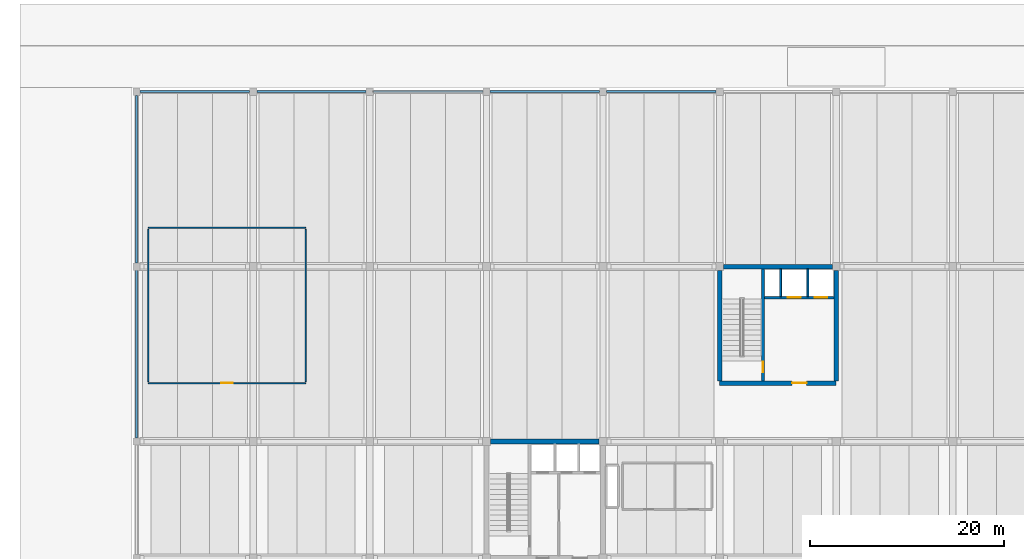
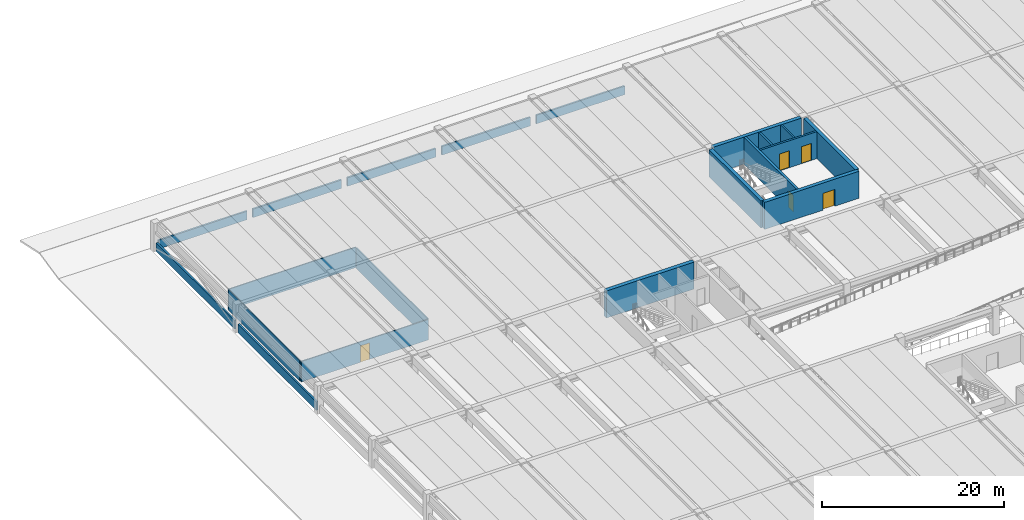
# One storey, part 9 of 16: 20 walls, 5 doors, 5 openings.
"""IFC4 building model written with IfcOpenShell, lengths in metres."""

from ifc_helpers import new_model, si_unit, direction, frame, frame_2d, origin, place, context, subcontext, project, spatial, rectangle, extrude, material, layer, layer_set, type_object, element, fill, save


model = new_model("IFC4")

# Units and contexts
model_context = context("Model", 3, precision=1e-05, world=origin(), true_north=direction((0.0, 1.0)))
body_context = subcontext(model_context, "Body", "Model", "MODEL_VIEW")
ifc_project = project(units=[si_unit("LENGTHUNIT", "METRE"), si_unit("AREAUNIT", "SQUARE_METRE"), si_unit("VOLUMEUNIT", "CUBIC_METRE"), si_unit("PLANEANGLEUNIT", "RADIAN"), si_unit("MASSUNIT", "GRAM", prefix="KILO")], contexts=[model_context])

# Site, building, storey
site_placement = place(None, origin())
site = spatial("IfcSite", under=ifc_project, at=site_placement, CompositionType="ELEMENT")
building_placement = place(site_placement, origin())
building = spatial("IfcBuilding", under=site, at=building_placement, Name="Girod Span Mobility Hub", CompositionType="ELEMENT")
storey_placement = place(building_placement, frame((0.0, 0.0, 21.0)))
storey = spatial("IfcBuildingStorey", under=building, at=storey_placement, Name="L05", CompositionType="ELEMENT", Elevation=21.0)

# Wall, opening, door
ifc_material_1 = material(Name="Concrete C40/50", Category="concrete")
ifc_layer_1 = layer(ifc_material_1, 0.449951171875)
ifc_layer_set_1 = layer_set([ifc_layer_1], Name="Concrete C40/50")
wall_type_1 = type_object("IfcWallType", Name="W-CW-450", PredefinedType="SHEAR", material=ifc_layer_set_1)
wall_1_placement = place(storey_placement, frame((72.0, 75.0, 0.0), z_axis=(0.0, 0.0, 1.0), x_axis=(1.0, 0.0, 0.0)))
wall_1 = element("IfcWall", 1, at=wall_1_placement, inside=storey, type_object=wall_type_1, Name="Core C4 Shear Wall S L05", PredefinedType="SHEAR", context=body_context, shape_type="SweptSolid", body=[
    extrude(rectangle(XDim=12.0, YDim=0.449951171875, at=frame_2d((6.0, 0.0))), origin(), (0.0, 0.0, 1.0), 3.637939453125),
])
opening_1_placement = place(wall_1_placement, frame((7.449951171875, 0.0, 0.0)))
opening_1 = element("IfcOpeningElement", 2, at=opening_1_placement, cuts=wall_1, Name="Opening D-LB-C4-L05", PredefinedType="OPENING", context=body_context, shape_type="SweptSolid", body=[
    extrude(rectangle(XDim=1.5, YDim=2.25, at=frame_2d((0.75, 1.125))), frame((0.0, 0.239990234375, 0.0), z_axis=(0.0, -1.0, 0.0), x_axis=(1.0, 0.0, 0.0)), (0.0, 0.0, 1.0), 0.47998046875),
])
ifc_material_2 = material(Name="Fire-Rated Insulated Hollow Metal Steel", Category="steel")
door_type_1 = type_object("IfcDoorType", Name="DT-FD-03", OperationType="DOUBLE_DOOR_SINGLE_SWING", PredefinedType="DOOR", material=ifc_material_2)
door_1_placement = place(opening_1_placement, origin())
door_1 = element("IfcDoor", 3, at=door_1_placement, inside=storey, type_object=door_type_1, Name="Core C4 Cargo Lift Lobby Door L05", OperationType="DOUBLE_DOOR_SINGLE_SWING", OverallHeight=2.25, OverallWidth=1.5, PredefinedType="DOOR", context=body_context, shape_type="SweptSolid", body=[
    extrude(rectangle(XDim=1.5, YDim=2.25, at=frame_2d((0.75, 1.125))), frame((0.0, 0.02490234375, 0.0), z_axis=(0.0, -1.0, 0.0), x_axis=(1.0, 0.0, 0.0)), (0.0, 0.0, 1.0), 0.050048828125),
])
fill(opening_1, door_1)

# Walls
wall_2_placement = place(storey_placement, frame((72.39697265625, 87.0, 0.0), z_axis=(0.0, 0.0, 1.0), x_axis=(1.0, 0.0, 0.0)))
element("IfcWall", 4, at=wall_2_placement, inside=storey, type_object=wall_type_1, Name="Core C4 Shear Wall N L05", PredefinedType="SHEAR", context=body_context, shape_type="SweptSolid", body=[
    extrude(rectangle(XDim=11.2060546875, YDim=0.449951171875, at=frame_2d((5.60302734375, 0.0))), origin(), (0.0, 0.0, 1.0), 3.637939453125),
])
for number, where, z_axis, x_axis, name in (
    (5, (72.0, 75.221923828125, 0.0), (0.0, 0.0, 1.0), (0.0, 1.0, 0.0), "Core C4 Shear Wall W L05"),
    (6, (84.0, 75.221923828125, 0.0), (0.0, 0.0, 1.0), (0.0, 1.0, 0.0), "Core C4 Shear Wall E L05"),
):
    element("IfcWall", number, at=place(storey_placement, frame(where, z_axis=z_axis, x_axis=x_axis)), inside=storey, type_object=wall_type_1, Name=name, PredefinedType="SHEAR", context=body_context, shape_type="SweptSolid", body=[
        extrude(rectangle(XDim=11.381103515625, YDim=0.449951171875, at=frame_2d((5.6904296875, 0.0))), origin(), (0.0, 0.0, 1.0), 3.637939453125),
    ])
ifc_material_3 = material(Name="Concrete C40/50", Category="concrete")
ifc_layer_2 = layer(ifc_material_3, 0.5)
ifc_layer_set_2 = layer_set([ifc_layer_2], Name="Concrete C40/50")
wall_type_2 = type_object("IfcWallType", Name="W-CW-500", PredefinedType="SHEAR", material=ifc_layer_set_2)
wall_3_placement = place(storey_placement, frame((48.422119140625, 69.0, 0.0), z_axis=(0.0, 0.0, 1.0), x_axis=(1.0, 0.0, 0.0)))
element("IfcWall", 7, at=wall_3_placement, inside=storey, type_object=wall_type_2, Name="Core C1 Shear Wall N L05", PredefinedType="SHEAR", context=body_context, shape_type="SweptSolid", body=[
    extrude(rectangle(XDim=11.15576171875, YDim=0.5, at=frame_2d((5.577880859375, 0.0))), origin(), (0.0, 0.0, 1.0), 3.637939453125),
])
ifc_material_4 = material(Name="Precast Architectural Concrete C40/50", Category="concrete")
ifc_layer_3 = layer(ifc_material_4, 0.215087890625)
ifc_layer_set_3 = layer_set([ifc_layer_3], Name="Precast Architectural Concrete C40/50")
wall_type_3 = type_object("IfcWallType", Name="W-PAR-215", PredefinedType="PARAPET", material=ifc_layer_set_3)
for number, where, z_axis, x_axis, name in (
    (8, (12.373046875, 105.0, 0.0), (0.0, 0.0, 1.0), (1.0, 0.0, 0.0), "Precast Parking Barrier Parapet N-2 L05"),
    (9, (24.373046875, 105.0, 0.0), (0.0, 0.0, 1.0), (1.0, 0.0, 0.0), "Precast Parking Barrier Parapet N-3 L05"),
    (10, (36.373046875, 105.0, 0.0), (0.0, 0.0, 1.0), (1.0, 0.0, 0.0), "Precast Parking Barrier Parapet N-4 L05"),
    (11, (48.373046875, 105.0, 0.0), (0.0, 0.0, 1.0), (1.0, 0.0, 0.0), "Precast Parking Barrier Parapet N-5 L05"),
    (12, (60.373046875, 105.0, 0.0), (0.0, 0.0, 1.0), (1.0, 0.0, 0.0), "Precast Parking Barrier Parapet N-6 L05"),
):
    element("IfcWall", number, at=place(storey_placement, frame(where, z_axis=z_axis, x_axis=x_axis)), inside=storey, type_object=wall_type_3, Name=name, PredefinedType="PARAPET", context=body_context, shape_type="SweptSolid", body=[
        extrude(rectangle(XDim=11.25390625, YDim=0.215087890625, at=frame_2d((5.626953125, 0.0))), origin(), (0.0, 0.0, 1.0), 1.14990234375),
    ])
for number, where, z_axis, x_axis, name in (
    (13, (12.0, 69.373046875, 0.0), (0.0, 0.0, 1.0), (0.0, 1.0, 0.0), "Precast Side Barrier Parapet W-F-1 L05"),
    (14, (12.0, 87.373046875, 0.0), (0.0, 0.0, 1.0), (0.0, 1.0, 0.0), "Precast Side Barrier Parapet W-G-1 L05"),
):
    element("IfcWall", number, at=place(storey_placement, frame(where, z_axis=z_axis, x_axis=x_axis)), inside=storey, type_object=wall_type_3, Name=name, PredefinedType="PARAPET", context=body_context, shape_type="SweptSolid", body=[
        extrude(rectangle(XDim=17.25390625, YDim=0.215087890625, at=frame_2d((8.626953125, 0.0))), origin(), (0.0, 0.0, 1.0), 1.14990234375),
    ])

# Wall, opening, door
ifc_material_5 = material(Name="Fire-Rated Gypsum Board on Metal Studs", Category="gypsum")
ifc_layer_4 = layer(ifc_material_5, 0.139892578125)
ifc_layer_set_4 = layer_set([ifc_layer_4], Name="Fire-Rated Gypsum Board on Metal Studs")
wall_type_4 = type_object("IfcWallType", Name="W-PT-140", PredefinedType="PARTITIONING", material=ifc_layer_set_4)
wall_4_placement = place(storey_placement, frame((13.199951171875, 75.0, 0.0), z_axis=(0.0, 0.0, 1.0), x_axis=(1.0, 0.0, 0.0)))
wall_4 = element("IfcWall", 15, at=wall_4_placement, inside=storey, type_object=wall_type_4, Name="Storage Room Mobility Equipment L05 Partition S", PredefinedType="PARTITIONING", context=body_context, shape_type="SweptSolid", body=[
    extrude(rectangle(XDim=16.199951171875, YDim=0.139892578125, at=frame_2d((8.10009765625, 0.0))), origin(), (0.0, 0.0, 1.0), 2.75),
])
opening_2_placement = place(wall_4_placement, frame((7.52001953125, 0.0, 0.0)))
opening_2 = element("IfcOpeningElement", 16, at=opening_2_placement, cuts=wall_4, Name="Opening D-L05-CAR-SH", PredefinedType="OPENING", context=body_context, shape_type="SweptSolid", body=[
    extrude(rectangle(XDim=1.159912109375, YDim=2.22998046875, at=frame_2d((0.580078125, 1.114990234375))), frame((0.0, 0.0849609375, 0.0), z_axis=(0.0, -1.0, 0.0), x_axis=(1.0, 0.0, 0.0)), (0.0, 0.0, 1.0), 0.169921875),
])
ifc_material_6 = material(Name="Solid-Core Architectural Timber", Category="wood")
door_type_2 = type_object("IfcDoorType", Name="DT-NR-07", OperationType="NOTDEFINED", PredefinedType="DOOR", material=ifc_material_6)
door_2_placement = place(opening_2_placement, origin())
door_2 = element("IfcDoor", 17, at=door_2_placement, inside=storey, type_object=door_type_2, Name="Storage Room Mobility Equipment L05 Door", OperationType="SINGLE_SWING_LEFT", OverallHeight=2.22998046875, OverallWidth=1.159912109375, PredefinedType="DOOR", context=body_context, shape_type="SweptSolid", body=[
    extrude(rectangle(XDim=1.159912109375, YDim=2.22998046875, at=frame_2d((0.580078125, 1.114990234375))), frame((0.0, 0.02490234375, 0.0), z_axis=(0.0, -1.0, 0.0), x_axis=(1.0, 0.0, 0.0)), (0.0, 0.0, 1.0), 0.050048828125),
])
fill(opening_2, door_2)

# Walls
wall_5_placement = place(storey_placement, frame((13.199951171875, 91.0, 0.0), z_axis=(0.0, 0.0, 1.0), x_axis=(1.0, 0.0, 0.0)))
element("IfcWall", 18, at=wall_5_placement, inside=storey, type_object=wall_type_4, Name="Storage Room Mobility Equipment L05 Partition N", PredefinedType="PARTITIONING", context=body_context, shape_type="SweptSolid", body=[
    extrude(rectangle(XDim=16.199951171875, YDim=0.139892578125, at=frame_2d((8.10009765625, 0.0))), origin(), (0.0, 0.0, 1.0), 2.75),
])
for number, where, z_axis, x_axis, name in (
    (19, (13.199951171875, 75.159912109375, 0.0), (0.0, 0.0, 1.0), (0.0, 1.0, 0.0), "Storage Room Mobility Equipment L05 Partition W"),
    (20, (29.39990234375, 75.159912109375, 0.0), (0.0, 0.0, 1.0), (0.0, 1.0, 0.0), "Storage Room Mobility Equipment L05 Partition E"),
):
    element("IfcWall", number, at=place(storey_placement, frame(where, z_axis=z_axis, x_axis=x_axis)), inside=storey, type_object=wall_type_4, Name=name, PredefinedType="PARTITIONING", context=body_context, shape_type="SweptSolid", body=[
        extrude(rectangle(XDim=15.68017578125, YDim=0.139892578125, at=frame_2d((7.840087890625, 0.0))), origin(), (0.0, 0.0, 1.0), 2.75),
    ])
ifc_material_7 = material(Name="Concrete C40/50", Category="concrete")
ifc_layer_5 = layer(ifc_material_7, 0.199951171875)
ifc_layer_set_5 = layer_set([ifc_layer_5], Name="Concrete C40/50")
wall_type_5 = type_object("IfcWallType", Name="W-SH-200", PredefinedType="SOLIDWALL", material=ifc_layer_set_5)
for number, where, z_axis, x_axis, name in (
    (21, (78.280029296875, 83.919921875, 0.0), (0.0, 0.0, 1.0), (0.0, 1.0, 0.0), "Core C4 Shaft Divider 1 L05"),
    (22, (81.080078125, 83.919921875, 0.0), (0.0, 0.0, 1.0), (0.0, 1.0, 0.0), "Core C4 Shaft Divider 2 L05"),
):
    element("IfcWall", number, at=place(storey_placement, frame(where, z_axis=z_axis, x_axis=x_axis)), inside=storey, type_object=wall_type_5, Name=name, PredefinedType="SOLIDWALL", context=body_context, shape_type="SweptSolid", body=[
        extrude(rectangle(XDim=2.85498046875, YDim=0.199951171875, at=frame_2d((1.427490234375, 0.0))), origin(), (0.0, 0.0, 1.0), 3.6279296875),
    ])

# Wall, openings, doors
ifc_material_8 = material(Name="Concrete C40/50", Category="concrete")
ifc_layer_6 = layer(ifc_material_8, 0.25)
ifc_layer_set_6 = layer_set([ifc_layer_6], Name="Concrete C40/50")
wall_type_6 = type_object("IfcWallType", Name="W-SH-250", PredefinedType="SOLIDWALL", material=ifc_layer_set_6)
wall_6_placement = place(storey_placement, frame((76.596923828125, 83.800048828125, 0.0), z_axis=(0.0, 0.0, 1.0), x_axis=(1.0, 0.0, 0.0)))
wall_6 = element("IfcWall", 23, at=wall_6_placement, inside=storey, type_object=wall_type_6, Name="Core C4 Hoistway Front Wall L05", PredefinedType="SOLIDWALL", context=body_context, shape_type="SweptSolid", body=[
    extrude(rectangle(XDim=7.18115234375, YDim=0.25, at=frame_2d((3.590576171875, 0.0))), origin(), (0.0, 0.0, 1.0), 3.637939453125),
])
opening_3_placement = place(wall_6_placement, frame((2.43310546875, 0.0, 0.0)))
opening_3 = element("IfcOpeningElement", 24, at=opening_3_placement, cuts=wall_6, Name="Opening LD-LB-1-L05", PredefinedType="OPENING", context=body_context, shape_type="SweptSolid", body=[
    extrude(rectangle(XDim=1.300048828125, YDim=2.280029296875, at=frame_2d((0.64990234375, 1.14013671875))), frame((0.0, 0.139892578125, 0.0), z_axis=(0.0, -1.0, 0.0), x_axis=(1.0, 0.0, 0.0)), (0.0, 0.0, 1.0), 0.280029296875),
])
opening_4_placement = place(wall_6_placement, frame((5.202880859375, 0.0, 0.0)))
opening_4 = element("IfcOpeningElement", 25, at=opening_4_placement, cuts=wall_6, Name="Opening LD-LB-2-L05", PredefinedType="OPENING", context=body_context, shape_type="SweptSolid", body=[
    extrude(rectangle(XDim=1.300048828125, YDim=2.280029296875, at=frame_2d((0.64990234375, 1.14013671875))), frame((0.0, 0.139892578125, 0.0), z_axis=(0.0, -1.0, 0.0), x_axis=(1.0, 0.0, 0.0)), (0.0, 0.0, 1.0), 0.280029296875),
])
ifc_material_9 = material(Name="Brushed Stainless Steel Grade 304", Category="steel")
door_type_3 = type_object("IfcDoorType", Name="LD-LB-130", OperationType="SLIDING_TO_LEFT", PredefinedType="USERDEFINED", material=ifc_material_9)
door_3_placement = place(opening_3_placement, origin())
door_3 = element("IfcDoor", 26, at=door_3_placement, inside=storey, type_object=door_type_3, Name="Lift LB-1 Sliding Landing Door L05", ObjectType="LANDING DOOR", OperationType="SLIDING_TO_LEFT", OverallHeight=2.280029296875, OverallWidth=1.300048828125, PredefinedType="USERDEFINED", context=body_context, shape_type="SweptSolid", body=[
    extrude(rectangle(XDim=1.300048828125, YDim=2.280029296875, at=frame_2d((0.64990234375, 1.14013671875))), frame((0.0, 0.02490234375, 0.0), z_axis=(0.0, -1.0, 0.0), x_axis=(1.0, 0.0, 0.0)), (0.0, 0.0, 1.0), 0.050048828125),
])
fill(opening_3, door_3)
door_4_placement = place(opening_4_placement, origin())
door_4 = element("IfcDoor", 27, at=door_4_placement, inside=storey, type_object=door_type_3, Name="Lift LB-2 Sliding Landing Door L05", ObjectType="LANDING DOOR", OperationType="SLIDING_TO_LEFT", OverallHeight=2.280029296875, OverallWidth=1.300048828125, PredefinedType="USERDEFINED", context=body_context, shape_type="SweptSolid", body=[
    extrude(rectangle(XDim=1.300048828125, YDim=2.280029296875, at=frame_2d((0.64990234375, 1.14013671875))), frame((0.0, 0.02490234375, 0.0), z_axis=(0.0, -1.0, 0.0), x_axis=(1.0, 0.0, 0.0)), (0.0, 0.0, 1.0), 0.050048828125),
])
fill(opening_4, door_4)

# Wall, opening, door
ifc_material_10 = material(Name="Concrete C40/50", Category="concrete")
ifc_layer_7 = layer(ifc_material_10, 0.300048828125)
ifc_layer_set_7 = layer_set([ifc_layer_7], Name="Concrete C40/50")
wall_type_7 = type_object("IfcWallType", Name="W-SH-300", PredefinedType="SHEAR", material=ifc_layer_set_7)
wall_7_placement = place(storey_placement, frame((76.449951171875, 75.221923828125, 0.0), z_axis=(0.0, 0.0, 1.0), x_axis=(0.0, 1.0, 0.0)))
wall_7 = element("IfcWall", 28, at=wall_7_placement, inside=storey, type_object=wall_type_7, Name="Core C4 Stairwell Spine Wall L05", PredefinedType="SHEAR", context=body_context, shape_type="SweptSolid", body=[
    extrude(rectangle(XDim=11.55615234375, YDim=0.300048828125, at=frame_2d((5.778076171875, 0.0))), origin(), (0.0, 0.0, 1.0), 3.637939453125),
])
opening_5_placement = place(wall_7_placement, frame((0.89990234375, 0.0, 0.0)))
opening_5 = element("IfcOpeningElement", 29, at=opening_5_placement, cuts=wall_7, Name="Opening D-ST-4-L05", PredefinedType="OPENING", context=body_context, shape_type="SweptSolid", body=[
    extrude(rectangle(XDim=1.10009765625, YDim=2.199951171875, at=frame_2d((0.550048828125, 1.10009765625))), frame((0.0, 0.1650390625, 0.0), z_axis=(0.0, -1.0, 0.0), x_axis=(1.0, 0.0, 0.0)), (0.0, 0.0, 1.0), 0.330078125),
])
ifc_material_11 = material(Name="Fire-Rated Insulated Hollow Metal Steel", Category="steel")
door_type_4 = type_object("IfcDoorType", Name="DT-FD-01", OperationType="NOTDEFINED", PredefinedType="DOOR", material=ifc_material_11)
door_5_placement = place(opening_5_placement, origin())
door_5 = element("IfcDoor", 30, at=door_5_placement, inside=storey, type_object=door_type_4, Name="Stair ST-4 Fire Door L05", OperationType="SINGLE_SWING_LEFT", OverallHeight=2.199951171875, OverallWidth=1.10009765625, PredefinedType="DOOR", context=body_context, shape_type="SweptSolid", body=[
    extrude(rectangle(XDim=1.10009765625, YDim=2.199951171875, at=frame_2d((0.550048828125, 1.10009765625))), frame((0.0, 0.02490234375, 0.0), z_axis=(0.0, -1.0, 0.0), x_axis=(1.0, 0.0, 0.0)), (0.0, 0.0, 1.0), 0.050048828125),
])
fill(opening_5, door_5)

save(model, "model.ifc")
